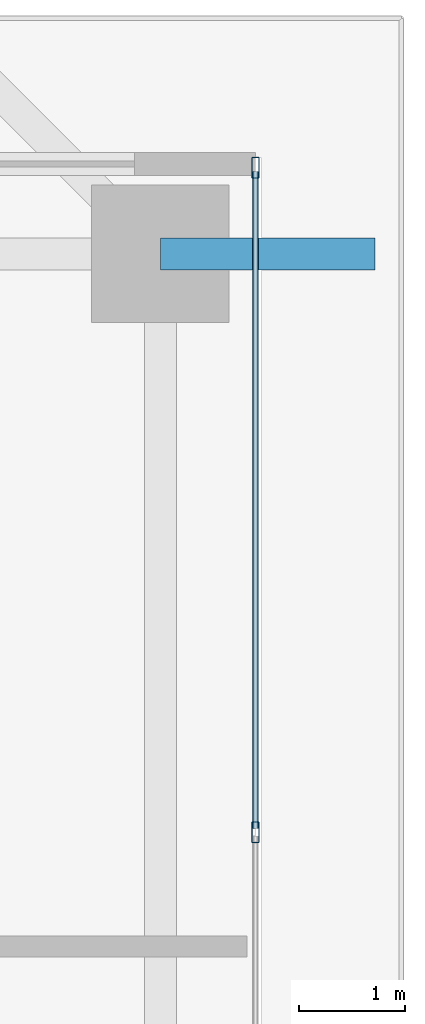
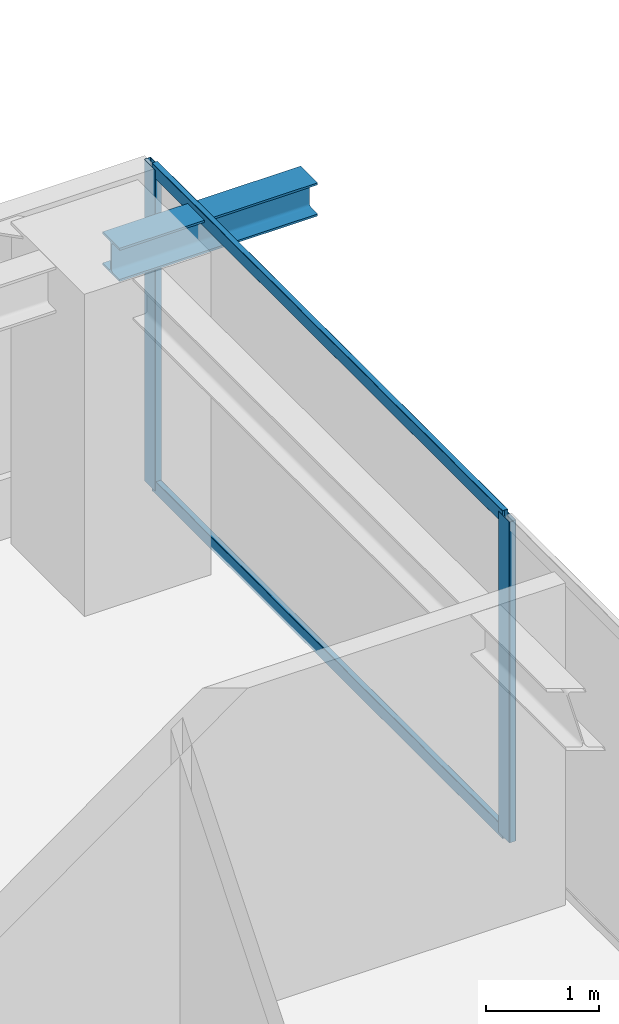
# One storey, part 23 of 37: 4 members, 1 beam, 1 element without a shape of its own.
"""IFC4 building model written with IfcOpenShell, lengths in metres."""

from ifc_helpers import new_model, si_unit, direction, frame, origin, origin_2d, place, context, subcontext, project, spatial, hollow_rectangle, i_section, extrude, source, transform, mapped, material, layer, layer_set, material_profile, profile_set, type_object, element, aggregate, save


model = new_model("IFC4")

# Units and contexts
model_context = context("Model", 3, precision=1e-05, world=origin(), true_north=direction((0.0, 1.0)))
body_context = subcontext(model_context, "Body", "Model", "MODEL_VIEW")
ifc_project = project(units=[si_unit("LENGTHUNIT", "METRE"), si_unit("AREAUNIT", "SQUARE_METRE"), si_unit("VOLUMEUNIT", "CUBIC_METRE"), si_unit("PLANEANGLEUNIT", "RADIAN"), si_unit("MASSUNIT", "GRAM", prefix="KILO")], contexts=[model_context])

# Site, building, storey
site_placement = place(None, origin())
site = spatial("IfcSite", under=ifc_project, at=site_placement, CompositionType="ELEMENT")
building_placement = place(site_placement, origin())
building = spatial("IfcBuilding", under=site, at=building_placement, Name="Serunith Strait Residences", CompositionType="ELEMENT")
storey_placement = place(building_placement, frame((0.0, 0.0, 153.89990234375)))
storey = spatial("IfcBuildingStorey", under=building, at=storey_placement, Name="L38", CompositionType="ELEMENT", Elevation=153.89990234375)

# Beam
ifc_material_1 = material(Name="Steel S355J2", Category="steel")
ifc_material_profile_1 = material_profile(ifc_material_1, i_section(OverallWidth=0.300048828125, OverallDepth=0.360107421875, WebThickness=0.012451171875, FlangeThickness=0.0224609375, FilletRadius=0.027099609375, at=origin_2d()), Name="HEB 360")
ifc_profile_set_1 = profile_set([ifc_material_profile_1], Name="Steel S355J2")
beam_type = type_object("IfcBeamType", Name="BM-HEB360", PredefinedType="BEAM", material=ifc_profile_set_1)
shared_shape_1 = source(origin(), body_context, "Body", "SweptSolid", [
    extrude(i_section(OverallWidth=0.300048828125, OverallDepth=0.360107421875, WebThickness=0.012451171875, FlangeThickness=0.0224609375, FilletRadius=0.027099609375, at=origin_2d()), origin(), (0.0, 0.0, 1.0), 2.02978515625),
])
beam_placement = place(storey_placement, frame((56.10009765625, 40.14990234375, 3.277099609375), z_axis=(1.0, 0.0, 0.0), x_axis=(0.0, 1.0, 0.0)))
element("IfcBeam", 1, at=beam_placement, inside=storey, type_object=beam_type, Name="L39 Cantilevered Balcony Rib TC-E4", PredefinedType="BEAM", context=body_context, shape_type="MappedRepresentation", body=[
    mapped(shared_shape_1, transform((0.0, 0.0, 0.0), scale=1.0)),
])

# Curtain wall, members
ifc_material_2 = material(Name="Pale-Champagne Anodised Aluminium", Category="aluminium")
ifc_layer = layer(ifc_material_2, 0.199951171875, Name="Pale-Champagne Anodised Aluminium")
ifc_layer_set = layer_set([ifc_layer], Name="Pale-Champagne Anodised Aluminium")
curtain_wall_type = type_object("IfcCurtainWallType", Name="CW-SYS2", PredefinedType="NOTDEFINED", material=ifc_layer_set)
curtain_wall_placement = place(storey_placement, origin())
curtain_wall = element("IfcCurtainWall", 2, at=curtain_wall_placement, inside=storey, type_object=curtain_wall_type, Name="L38 E Unitised Fritted Curtain Wall", PredefinedType="NOTDEFINED")
ifc_material_profile_2 = material_profile(ifc_material_2, hollow_rectangle(XDim=0.070068359375, YDim=0.199951171875, WallThickness=0.00390625, InnerFilletRadius=0.006103515625, OuterFilletRadius=0.010009765625, at=origin_2d()), Name="ALU 200x70x4")
ifc_profile_set_2 = profile_set([ifc_material_profile_2], Name="Pale-Champagne Anodised Aluminium")
member_type_1 = type_object("IfcMemberType", Name="CW-SYS2-MULL", PredefinedType="MULLION", material=ifc_profile_set_2)
shared_shape_2 = source(origin(), body_context, "Body", "SweptSolid", [
    extrude(hollow_rectangle(XDim=0.070068359375, YDim=0.199951171875, WallThickness=0.00390625, InnerFilletRadius=0.006103515625, OuterFilletRadius=0.010009765625, at=origin_2d()), origin(), (0.0, 0.0, 1.0), 3.47509765625),
])
member_1_placement = place(storey_placement, frame((57.0, 34.679931640625, 0.0), z_axis=(0.0, 0.0, 1.0), x_axis=(-1.0, 0.0, 0.0)))
member_1 = element("IfcMember", 3, at=member_1_placement, type_object=member_type_1, Name="CW-2 mullion 5", PredefinedType="MULLION", context=body_context, shape_type="MappedRepresentation", body=[
    mapped(shared_shape_2, transform((0.0, 0.0, 0.0), scale=1.0)),
])
member_2_placement = place(storey_placement, frame((57.0, 40.965087890625, 0.0), z_axis=(0.0, 0.0, 1.0), x_axis=(-1.0, 0.0, 0.0)))
member_2 = element("IfcMember", 4, at=member_2_placement, type_object=member_type_1, Name="CW-2 mullion 6", PredefinedType="MULLION", context=body_context, shape_type="MappedRepresentation", body=[
    mapped(shared_shape_2, transform((0.0, 0.0, 0.0), scale=1.0)),
])
ifc_material_profile_3 = material_profile(ifc_material_2, hollow_rectangle(XDim=0.06005859375, YDim=0.139892578125, WallThickness=0.00341796875, InnerFilletRadius=0.00537109375, OuterFilletRadius=0.0087890625, at=origin_2d()), Name="ALU 140x60x3.5")
ifc_profile_set_3 = profile_set([ifc_material_profile_3], Name="Pale-Champagne Anodised Aluminium")
member_type_2 = type_object("IfcMemberType", Name="CW-SYS2-TRAN", PredefinedType="USERDEFINED", material=ifc_profile_set_3)
shared_shape_3 = source(origin(), body_context, "Body", "SweptSolid", [
    extrude(hollow_rectangle(XDim=0.06005859375, YDim=0.139892578125, WallThickness=0.00341796875, InnerFilletRadius=0.00537109375, OuterFilletRadius=0.0087890625, at=origin_2d()), origin(), (0.0, 0.0, 1.0), 6.21484375),
])
member_3_placement = place(storey_placement, frame((57.0, 34.715087890625, 0.030029296875), z_axis=(0.0, 1.0, 0.0), x_axis=(-1.0, 0.0, 0.0)))
member_3 = element("IfcMember", 5, at=member_3_placement, type_object=member_type_2, Name="CW-2 transom 5.1", ObjectType="TRANSOM", PredefinedType="USERDEFINED", context=body_context, shape_type="MappedRepresentation", body=[
    mapped(shared_shape_3, transform((0.0, 0.0, 0.0), scale=1.0)),
])
member_4_placement = place(storey_placement, frame((57.0, 34.715087890625, 3.445068359375), z_axis=(0.0, 1.0, 0.0), x_axis=(-1.0, 0.0, 0.0)))
member_4 = element("IfcMember", 6, at=member_4_placement, type_object=member_type_2, Name="CW-2 transom 5.2", ObjectType="TRANSOM", PredefinedType="USERDEFINED", context=body_context, shape_type="MappedRepresentation", body=[
    mapped(shared_shape_3, transform((0.0, 0.0, 0.0), scale=1.0)),
])
aggregate(curtain_wall, [member_1, member_2, member_3, member_4])

save(model, "model.ifc")
